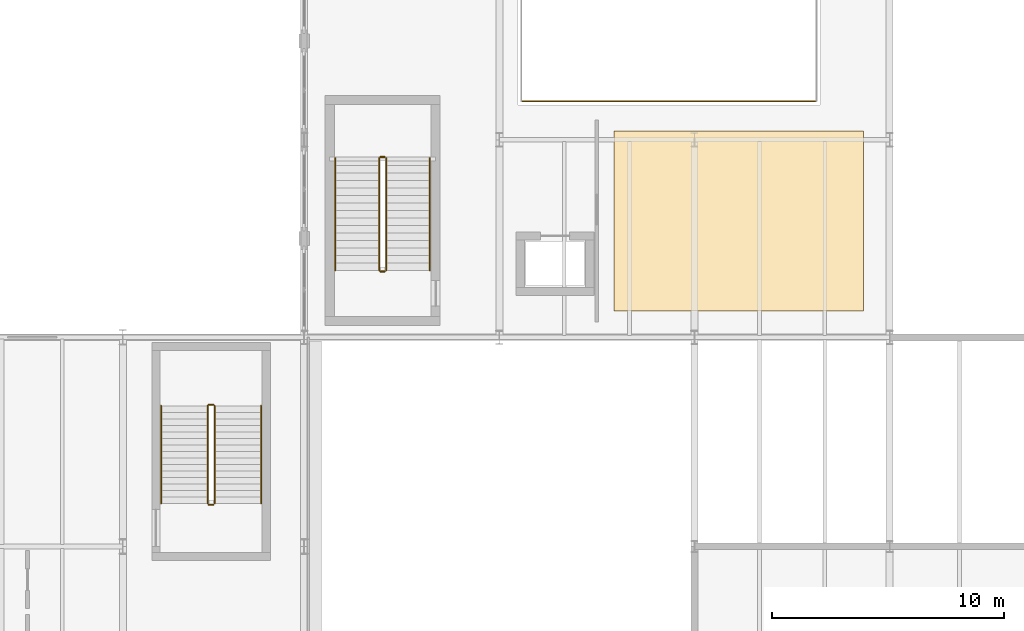
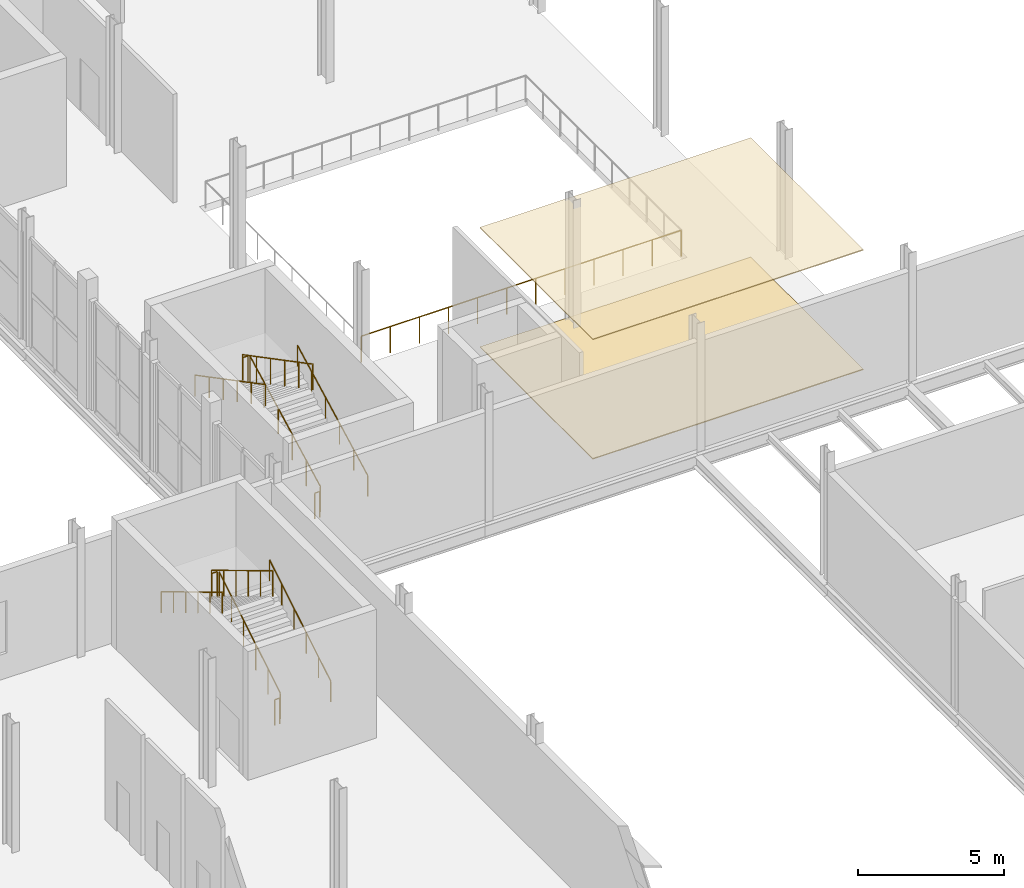
# One storey, part 68 of 78: 13 railings, 2 coverings.
"""IFC4 building model written with IfcOpenShell, lengths in metres."""

from ifc_helpers import new_model, si_unit, direction, frame, origin, origin_2d, place, context, subcontext, project, spatial, polyline, circle, outline, extrude, material, layer, layer_set, type_object, element, save


model = new_model("IFC4")

# Units and contexts
model_context = context("Model", 3, precision=1e-05, world=origin(), true_north=direction((0.0, 1.0)))
body_context = subcontext(model_context, "Body", "Model", "MODEL_VIEW")
ifc_project = project(units=[si_unit("LENGTHUNIT", "METRE"), si_unit("AREAUNIT", "SQUARE_METRE"), si_unit("VOLUMEUNIT", "CUBIC_METRE"), si_unit("PLANEANGLEUNIT", "RADIAN"), si_unit("MASSUNIT", "GRAM", prefix="KILO")], contexts=[model_context])

# Site, building, storey
site_placement = place(None, origin())
site = spatial("IfcSite", under=ifc_project, at=site_placement, CompositionType="ELEMENT")
building_placement = place(site_placement, origin())
building = spatial("IfcBuilding", under=site, at=building_placement, Name="Sefraquen Railside Congress Hotel", CompositionType="ELEMENT")
storey_placement = place(building_placement, frame((0.0, 0.0, 6.0)))
storey = spatial("IfcBuildingStorey", under=building, at=storey_placement, Name="L01", CompositionType="ELEMENT", Elevation=6.0)

# Coverings
ifc_material_1 = material(Name="Acoustic mineral and carved plaster ceiling", Category="gypsum")
ifc_layer_1 = layer(ifc_material_1, 0.0400390625)
ifc_layer_set_1 = layer_set([ifc_layer_1], Name="Acoustic mineral and carved plaster ceiling")
covering_type_1 = type_object("IfcCoveringType", Name="TCV-CEIL-01", PredefinedType="CEILING", material=ifc_layer_set_1)
covering_1_placement = place(storey_placement, frame((0.0, 0.0, 5.010009765625)))
element("IfcCovering", 1, at=covering_1_placement, inside=storey, type_object=covering_type_1, Name="Conference Suite 04 acoustic ceiling finish", PredefinedType="CEILING", context=body_context, shape_type="SweptSolid", body=[
    extrude(outline(polyline([(116.530029296875, 55.1298828125), (127.27001953125, 55.1298828125), (127.27001953125, 62.8701171875), (116.530029296875, 62.8701171875), (116.530029296875, 55.1298828125)])), origin(), (0.0, 0.0, 1.0), 0.0400390625),
])
ifc_material_2 = material(Name="Moroccan zellige ceramic and honed stone flooring", Category="masonry")
ifc_layer_2 = layer(ifc_material_2, 0.0400390625)
ifc_layer_set_2 = layer_set([ifc_layer_2], Name="Moroccan zellige ceramic and honed stone flooring")
covering_type_2 = type_object("IfcCoveringType", Name="TCV-FLR-01", PredefinedType="FLOORING", material=ifc_layer_set_2)
covering_2_placement = place(storey_placement, origin())
element("IfcCovering", 2, at=covering_2_placement, inside=storey, type_object=covering_type_2, Name="Conference Suite 04 architectural floor finish", PredefinedType="FLOORING", context=body_context, shape_type="SweptSolid", body=[
    extrude(outline(polyline([(116.530029296875, 55.1298828125), (127.27001953125, 55.1298828125), (127.27001953125, 62.8701171875), (116.530029296875, 62.8701171875), (116.530029296875, 55.1298828125)])), origin(), (0.0, 0.0, 1.0), 0.0400390625),
])

# Railings
ifc_material_3 = material(Name="Patinated wrought architectural bronze", Category="metal")
railing_type_1 = type_object("IfcRailingType", Name="TRL-BAL-110", PredefinedType="BALUSTRADE", material=ifc_material_3)
railing_1_placement = place(storey_placement, frame((112.550048828125, 64.14990234375, 0.0)))
element("IfcRailing", 3, at=railing_1_placement, inside=storey, type_object=railing_type_1, Name="Covered Public Passage atrium void guard L01", PredefinedType="BALUSTRADE", context=body_context, shape_type="SweptSolid", body=[
    extrude(circle(Radius=0.02392578125, at=origin_2d()), frame((0.0, 0.0, 1.09619140625), z_axis=(1.0, 0.0, 0.0), x_axis=(0.0, 1.0, 0.0)), (0.0, 0.0, 1.0), 12.699951171875),
    extrude(circle(Radius=0.02099609375, at=origin_2d()), origin(), (0.0, 0.0, 1.0), 1.072021484375),
    extrude(circle(Radius=0.02099609375, at=origin_2d()), frame((1.154541015625, 0.0, 0.0)), (0.0, 0.0, 1.0), 1.072021484375),
    extrude(circle(Radius=0.02099609375, at=origin_2d()), frame((2.30908203125, 0.0, 0.0)), (0.0, 0.0, 1.0), 1.072021484375),
    extrude(circle(Radius=0.02099609375, at=origin_2d()), frame((3.463623046875, 0.0, 0.0)), (0.0, 0.0, 1.0), 1.072021484375),
    extrude(circle(Radius=0.02099609375, at=origin_2d()), frame((4.6181640625, 0.0, 0.0)), (0.0, 0.0, 1.0), 1.072021484375),
    extrude(circle(Radius=0.02099609375, at=origin_2d()), frame((5.772705078125, 0.0, 0.0)), (0.0, 0.0, 1.0), 1.072021484375),
    extrude(circle(Radius=0.02099609375, at=origin_2d()), frame((6.92724609375, 0.0, 0.0)), (0.0, 0.0, 1.0), 1.072021484375),
    extrude(circle(Radius=0.02099609375, at=origin_2d()), frame((8.081787109375, 0.0, 0.0)), (0.0, 0.0, 1.0), 1.072021484375),
    extrude(circle(Radius=0.02099609375, at=origin_2d()), frame((9.236328125, 0.0, 0.0)), (0.0, 0.0, 1.0), 1.072021484375),
    extrude(circle(Radius=0.02099609375, at=origin_2d()), frame((10.390869140625, 0.0, 0.0)), (0.0, 0.0, 1.0), 1.072021484375),
    extrude(circle(Radius=0.02099609375, at=origin_2d()), frame((11.54541015625, 0.0, 0.0)), (0.0, 0.0, 1.0), 1.072021484375),
    extrude(circle(Radius=0.02099609375, at=origin_2d()), frame((12.699951171875, 0.0, 0.0)), (0.0, 0.0, 1.0), 1.072021484375),
])
railing_2_placement = place(storey_placement, frame((106.72998046875, 56.8798828125, 0.168701171875)))
element("IfcRailing", 4, at=railing_2_placement, inside=storey, type_object=railing_type_1, Name="L01 ST-M02 stair guard 1", PredefinedType="BALUSTRADE", context=body_context, shape_type="SweptSolid", body=[
    extrude(circle(Radius=0.02392578125, at=origin_2d()), frame((0.0, 0.0, 1.076171875), z_axis=(0.0, 0.885740383855, 0.46418096946), x_axis=(-1.0, 0.0, 0.0)), (0.0, 0.0, 1.0), 5.453125),
    extrude(circle(Radius=0.02099609375, at=origin_2d()), origin(), (0.0, 0.0, 1.0), 1.052001953125),
    extrude(circle(Radius=0.02099609375, at=origin_2d()), frame((0.0, 0.966064453125, 0.50634765625)), (0.0, 0.0, 1.0), 1.052001953125),
    extrude(circle(Radius=0.02099609375, at=origin_2d()), frame((0.0, 1.93212890625, 1.012451171875)), (0.0, 0.0, 1.0), 1.052001953125),
    extrude(circle(Radius=0.02099609375, at=origin_2d()), frame((0.0, 2.89794921875, 1.518798828125)), (0.0, 0.0, 1.0), 1.052001953125),
    extrude(circle(Radius=0.02099609375, at=origin_2d()), frame((0.0, 3.864013671875, 2.02490234375)), (0.0, 0.0, 1.0), 1.052001953125),
    extrude(circle(Radius=0.02099609375, at=origin_2d()), frame((0.0, 4.830078125, 2.53125)), (0.0, 0.0, 1.0), 1.052001953125),
])
railing_3_placement = place(storey_placement, frame((106.679931640625, 61.760009765625, 2.699951171875)))
element("IfcRailing", 5, at=railing_3_placement, inside=storey, type_object=railing_type_1, Name="L01 ST-M02 stair guard 2", PredefinedType="BALUSTRADE", context=body_context, shape_type="SweptSolid", body=[
    extrude(circle(Radius=0.02392578125, at=origin_2d()), frame((0.0, 0.0, 1.076171875), z_axis=(-1.0, 0.0, 0.0), x_axis=(0.0, -1.0, 0.0)), (0.0, 0.0, 1.0), 0.199951171875),
    extrude(circle(Radius=0.02099609375, at=origin_2d()), origin(), (0.0, 0.0, 1.0), 1.052001953125),
    extrude(circle(Radius=0.02099609375, at=origin_2d()), frame((-0.199951171875, 0.0, 0.0)), (0.0, 0.0, 1.0), 1.052001953125),
])
railing_4_placement = place(storey_placement, frame((106.429931640625, 61.7099609375, 2.86865234375)))
element("IfcRailing", 6, at=railing_4_placement, inside=storey, type_object=railing_type_1, Name="L01 ST-M02 stair guard 3", PredefinedType="BALUSTRADE", context=body_context, shape_type="SweptSolid", body=[
    extrude(circle(Radius=0.02392578125, at=origin_2d()), frame((0.0, 0.0, 1.076171875), z_axis=(0.0, -0.885740383855, 0.46418096946), x_axis=(1.0, 0.0, 0.0)), (0.0, 0.0, 1.0), 5.453125),
    extrude(circle(Radius=0.02099609375, at=origin_2d()), origin(), (0.0, 0.0, 1.0), 1.052001953125),
    extrude(circle(Radius=0.02099609375, at=origin_2d()), frame((0.0, -0.966064453125, 0.50634765625)), (0.0, 0.0, 1.0), 1.052001953125),
    extrude(circle(Radius=0.02099609375, at=origin_2d()), frame((0.0, -1.93212890625, 1.012451171875)), (0.0, 0.0, 1.0), 1.052001953125),
    extrude(circle(Radius=0.02099609375, at=origin_2d()), frame((0.0, -2.89794921875, 1.518798828125)), (0.0, 0.0, 1.0), 1.052001953125),
    extrude(circle(Radius=0.02099609375, at=origin_2d()), frame((0.0, -3.864013671875, 2.02490234375)), (0.0, 0.0, 1.0), 1.052001953125),
    extrude(circle(Radius=0.02099609375, at=origin_2d()), frame((0.0, -4.830078125, 2.53125)), (0.0, 0.0, 1.0), 1.052001953125),
])
railing_5_placement = place(storey_placement, frame((106.679931640625, 56.830078125, 0.0)))
element("IfcRailing", 7, at=railing_5_placement, inside=storey, type_object=railing_type_1, Name="L01 ST-M02 stair guard 4", PredefinedType="BALUSTRADE", context=body_context, shape_type="SweptSolid", body=[
    extrude(circle(Radius=0.02392578125, at=origin_2d()), frame((0.0, 0.0, 1.076171875), z_axis=(-1.0, 0.0, 0.0), x_axis=(0.0, -1.0, 0.0)), (0.0, 0.0, 1.0), 0.199951171875),
    extrude(circle(Radius=0.02099609375, at=origin_2d()), origin(), (0.0, 0.0, 1.0), 1.052001953125),
    extrude(circle(Radius=0.02099609375, at=origin_2d()), frame((-0.199951171875, 0.0, 0.0)), (0.0, 0.0, 1.0), 1.052001953125),
])
railing_6_placement = place(storey_placement, frame((99.35009765625, 46.85009765625, 0.168701171875)))
element("IfcRailing", 8, at=railing_6_placement, inside=storey, type_object=railing_type_1, Name="L01 ST-C04 stair guard 1", PredefinedType="BALUSTRADE", context=body_context, shape_type="SweptSolid", body=[
    extrude(circle(Radius=0.02392578125, at=origin_2d()), frame((0.0, 0.0, 1.076171875), z_axis=(0.0, 0.856476492594, 0.516186030065), x_axis=(-1.0, 0.0, 0.0)), (0.0, 0.0, 1.0), 4.90380859375),
    extrude(circle(Radius=0.02099609375, at=origin_2d()), origin(), (0.0, 0.0, 1.0), 1.052001953125),
    extrude(circle(Radius=0.02099609375, at=origin_2d()), frame((0.0, 0.840087890625, 0.50634765625)), (0.0, 0.0, 1.0), 1.052001953125),
    extrude(circle(Radius=0.02099609375, at=origin_2d()), frame((0.0, 1.679931640625, 1.012451171875)), (0.0, 0.0, 1.0), 1.052001953125),
    extrude(circle(Radius=0.02099609375, at=origin_2d()), frame((0.0, 2.52001953125, 1.518798828125)), (0.0, 0.0, 1.0), 1.052001953125),
    extrude(circle(Radius=0.02099609375, at=origin_2d()), frame((0.0, 3.35986328125, 2.02490234375)), (0.0, 0.0, 1.0), 1.052001953125),
    extrude(circle(Radius=0.02099609375, at=origin_2d()), frame((0.0, 4.199951171875, 2.53125)), (0.0, 0.0, 1.0), 1.052001953125),
])
railing_7_placement = place(storey_placement, frame((99.300048828125, 51.10009765625, 2.699951171875)))
element("IfcRailing", 9, at=railing_7_placement, inside=storey, type_object=railing_type_1, Name="L01 ST-C04 stair guard 2", PredefinedType="BALUSTRADE", context=body_context, shape_type="SweptSolid", body=[
    extrude(circle(Radius=0.02392578125, at=origin_2d()), frame((0.0, 0.0, 1.076171875), z_axis=(-1.0, 0.0, 0.0), x_axis=(0.0, -1.0, 0.0)), (0.0, 0.0, 1.0), 0.199951171875),
    extrude(circle(Radius=0.02099609375, at=origin_2d()), origin(), (0.0, 0.0, 1.0), 1.052001953125),
    extrude(circle(Radius=0.02099609375, at=origin_2d()), frame((-0.199951171875, 0.0, 0.0)), (0.0, 0.0, 1.0), 1.052001953125),
])
railing_8_placement = place(storey_placement, frame((99.050048828125, 51.050048828125, 2.86865234375)))
element("IfcRailing", 10, at=railing_8_placement, inside=storey, type_object=railing_type_1, Name="L01 ST-C04 stair guard 3", PredefinedType="BALUSTRADE", context=body_context, shape_type="SweptSolid", body=[
    extrude(circle(Radius=0.02392578125, at=origin_2d()), frame((0.0, 0.0, 1.076171875), z_axis=(0.0, -0.856476492594, 0.516186030065), x_axis=(1.0, 0.0, 0.0)), (0.0, 0.0, 1.0), 4.90380859375),
    extrude(circle(Radius=0.02099609375, at=origin_2d()), origin(), (0.0, 0.0, 1.0), 1.052001953125),
    extrude(circle(Radius=0.02099609375, at=origin_2d()), frame((0.0, -0.840087890625, 0.50634765625)), (0.0, 0.0, 1.0), 1.052001953125),
    extrude(circle(Radius=0.02099609375, at=origin_2d()), frame((0.0, -1.679931640625, 1.012451171875)), (0.0, 0.0, 1.0), 1.052001953125),
    extrude(circle(Radius=0.02099609375, at=origin_2d()), frame((0.0, -2.52001953125, 1.518798828125)), (0.0, 0.0, 1.0), 1.052001953125),
    extrude(circle(Radius=0.02099609375, at=origin_2d()), frame((0.0, -3.35986328125, 2.02490234375)), (0.0, 0.0, 1.0), 1.052001953125),
    extrude(circle(Radius=0.02099609375, at=origin_2d()), frame((0.0, -4.199951171875, 2.53125)), (0.0, 0.0, 1.0), 1.052001953125),
])
railing_9_placement = place(storey_placement, frame((99.300048828125, 46.800048828125, 0.0)))
element("IfcRailing", 11, at=railing_9_placement, inside=storey, type_object=railing_type_1, Name="L01 ST-C04 stair guard 4", PredefinedType="BALUSTRADE", context=body_context, shape_type="SweptSolid", body=[
    extrude(circle(Radius=0.02392578125, at=origin_2d()), frame((0.0, 0.0, 1.076171875), z_axis=(-1.0, 0.0, 0.0), x_axis=(0.0, -1.0, 0.0)), (0.0, 0.0, 1.0), 0.199951171875),
    extrude(circle(Radius=0.02099609375, at=origin_2d()), origin(), (0.0, 0.0, 1.0), 1.052001953125),
    extrude(circle(Radius=0.02099609375, at=origin_2d()), frame((-0.199951171875, 0.0, 0.0)), (0.0, 0.0, 1.0), 1.052001953125),
])
railing_type_2 = type_object("IfcRailingType", Name="TRL-HR-090", PredefinedType="HANDRAIL", material=ifc_material_3)
railing_10_placement = place(storey_placement, frame((108.610107421875, 56.8798828125, 0.168701171875)))
element("IfcRailing", 12, at=railing_10_placement, inside=storey, type_object=railing_type_2, Name="L01 ST-M02 stair handrail 1", PredefinedType="HANDRAIL", context=body_context, shape_type="SweptSolid", body=[
    extrude(circle(Radius=0.02392578125, at=origin_2d()), frame((0.0, 0.0, 0.8759765625), z_axis=(0.0, 0.885740383855, 0.46418096946), x_axis=(-1.0, 0.0, 0.0)), (0.0, 0.0, 1.0), 5.453125),
    extrude(circle(Radius=0.02099609375, at=origin_2d()), origin(), (0.0, 0.0, 1.0), 0.851806640625),
    extrude(circle(Radius=0.02099609375, at=origin_2d()), frame((0.0, 0.966064453125, 0.50634765625)), (0.0, 0.0, 1.0), 0.851806640625),
    extrude(circle(Radius=0.02099609375, at=origin_2d()), frame((0.0, 1.93212890625, 1.012451171875)), (0.0, 0.0, 1.0), 0.851806640625),
    extrude(circle(Radius=0.02099609375, at=origin_2d()), frame((0.0, 2.89794921875, 1.518798828125)), (0.0, 0.0, 1.0), 0.851806640625),
    extrude(circle(Radius=0.02099609375, at=origin_2d()), frame((0.0, 3.864013671875, 2.02490234375)), (0.0, 0.0, 1.0), 0.851806640625),
    extrude(circle(Radius=0.02099609375, at=origin_2d()), frame((0.0, 4.830078125, 2.53125)), (0.0, 0.0, 1.0), 0.851806640625),
])
railing_11_placement = place(storey_placement, frame((104.550048828125, 61.7099609375, 2.86865234375)))
element("IfcRailing", 13, at=railing_11_placement, inside=storey, type_object=railing_type_2, Name="L01 ST-M02 stair handrail 2", PredefinedType="HANDRAIL", context=body_context, shape_type="SweptSolid", body=[
    extrude(circle(Radius=0.02392578125, at=origin_2d()), frame((0.0, 0.0, 0.8759765625), z_axis=(0.0, -0.885740383855, 0.46418096946), x_axis=(1.0, 0.0, 0.0)), (0.0, 0.0, 1.0), 5.453125),
    extrude(circle(Radius=0.02099609375, at=origin_2d()), origin(), (0.0, 0.0, 1.0), 0.851806640625),
    extrude(circle(Radius=0.02099609375, at=origin_2d()), frame((0.0, -0.966064453125, 0.50634765625)), (0.0, 0.0, 1.0), 0.851806640625),
    extrude(circle(Radius=0.02099609375, at=origin_2d()), frame((0.0, -1.93212890625, 1.012451171875)), (0.0, 0.0, 1.0), 0.851806640625),
    extrude(circle(Radius=0.02099609375, at=origin_2d()), frame((0.0, -2.89794921875, 1.518798828125)), (0.0, 0.0, 1.0), 0.851806640625),
    extrude(circle(Radius=0.02099609375, at=origin_2d()), frame((0.0, -3.864013671875, 2.02490234375)), (0.0, 0.0, 1.0), 0.851806640625),
    extrude(circle(Radius=0.02099609375, at=origin_2d()), frame((0.0, -4.830078125, 2.53125)), (0.0, 0.0, 1.0), 0.851806640625),
])
railing_12_placement = place(storey_placement, frame((101.35009765625, 46.85009765625, 0.168701171875)))
element("IfcRailing", 14, at=railing_12_placement, inside=storey, type_object=railing_type_2, Name="L01 ST-C04 stair handrail 1", PredefinedType="HANDRAIL", context=body_context, shape_type="SweptSolid", body=[
    extrude(circle(Radius=0.02392578125, at=origin_2d()), frame((0.0, 0.0, 0.8759765625), z_axis=(0.0, 0.856476492594, 0.516186030065), x_axis=(-1.0, 0.0, 0.0)), (0.0, 0.0, 1.0), 4.90380859375),
    extrude(circle(Radius=0.02099609375, at=origin_2d()), origin(), (0.0, 0.0, 1.0), 0.851806640625),
    extrude(circle(Radius=0.02099609375, at=origin_2d()), frame((0.0, 0.840087890625, 0.50634765625)), (0.0, 0.0, 1.0), 0.851806640625),
    extrude(circle(Radius=0.02099609375, at=origin_2d()), frame((0.0, 1.679931640625, 1.012451171875)), (0.0, 0.0, 1.0), 0.851806640625),
    extrude(circle(Radius=0.02099609375, at=origin_2d()), frame((0.0, 2.52001953125, 1.518798828125)), (0.0, 0.0, 1.0), 0.851806640625),
    extrude(circle(Radius=0.02099609375, at=origin_2d()), frame((0.0, 3.35986328125, 2.02490234375)), (0.0, 0.0, 1.0), 0.851806640625),
    extrude(circle(Radius=0.02099609375, at=origin_2d()), frame((0.0, 4.199951171875, 2.53125)), (0.0, 0.0, 1.0), 0.851806640625),
])
railing_13_placement = place(storey_placement, frame((97.050048828125, 51.050048828125, 2.86865234375)))
element("IfcRailing", 15, at=railing_13_placement, inside=storey, type_object=railing_type_2, Name="L01 ST-C04 stair handrail 2", PredefinedType="HANDRAIL", context=body_context, shape_type="SweptSolid", body=[
    extrude(circle(Radius=0.02392578125, at=origin_2d()), frame((0.0, 0.0, 0.8759765625), z_axis=(0.0, -0.856476492594, 0.516186030065), x_axis=(1.0, 0.0, 0.0)), (0.0, 0.0, 1.0), 4.90380859375),
    extrude(circle(Radius=0.02099609375, at=origin_2d()), origin(), (0.0, 0.0, 1.0), 0.851806640625),
    extrude(circle(Radius=0.02099609375, at=origin_2d()), frame((0.0, -0.840087890625, 0.50634765625)), (0.0, 0.0, 1.0), 0.851806640625),
    extrude(circle(Radius=0.02099609375, at=origin_2d()), frame((0.0, -1.679931640625, 1.012451171875)), (0.0, 0.0, 1.0), 0.851806640625),
    extrude(circle(Radius=0.02099609375, at=origin_2d()), frame((0.0, -2.52001953125, 1.518798828125)), (0.0, 0.0, 1.0), 0.851806640625),
    extrude(circle(Radius=0.02099609375, at=origin_2d()), frame((0.0, -3.35986328125, 2.02490234375)), (0.0, 0.0, 1.0), 0.851806640625),
    extrude(circle(Radius=0.02099609375, at=origin_2d()), frame((0.0, -4.199951171875, 2.53125)), (0.0, 0.0, 1.0), 0.851806640625),
])

save(model, "model.ifc")
